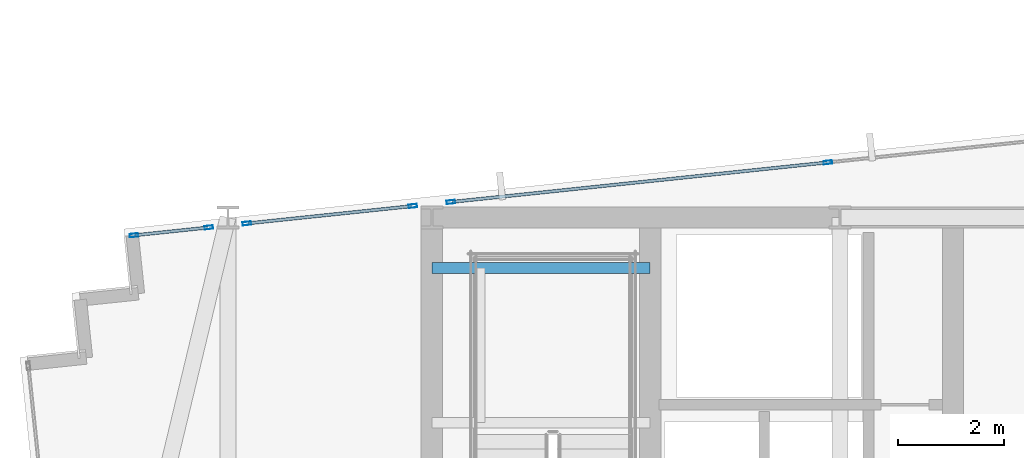
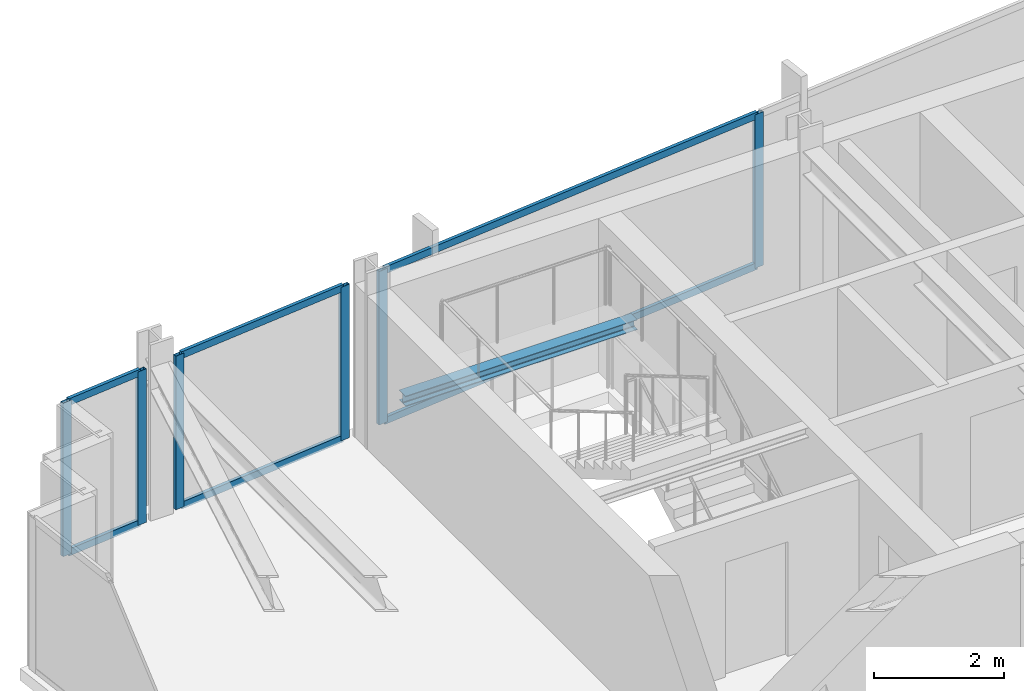
# One storey, part 20 of 33: 12 members, 1 beam, 3 elements without a shape of their own.
"""IFC4 building model written with IfcOpenShell, lengths in metres."""

from ifc_helpers import new_model, si_unit, direction, frame, origin, origin_2d, place, context, subcontext, project, spatial, hollow_rectangle, i_section, extrude, material, material_profile, profile_set, type_object, element, aggregate, save


model = new_model("IFC4")

# Units and contexts
model_context = context("Model", 3, precision=1e-05, world=origin(), true_north=direction((0.0, 1.0)))
body_context = subcontext(model_context, "Body", "Model", "MODEL_VIEW")
ifc_project = project(units=[si_unit("LENGTHUNIT", "METRE"), si_unit("AREAUNIT", "SQUARE_METRE"), si_unit("VOLUMEUNIT", "CUBIC_METRE"), si_unit("PLANEANGLEUNIT", "RADIAN"), si_unit("MASSUNIT", "GRAM", prefix="KILO")], contexts=[model_context])

# Site, building, storey
site_placement = place(None, origin())
site = spatial("IfcSite", under=ifc_project, at=site_placement, CompositionType="ELEMENT")
building_placement = place(site_placement, origin())
building = spatial("IfcBuilding", under=site, at=building_placement, Name="Yelkora Congress Tower", CompositionType="ELEMENT")
storey_placement = place(building_placement, frame((0.0, 0.0, 244.10009765625)))
storey = spatial("IfcBuildingStorey", under=building, at=storey_placement, Name="L68", CompositionType="ELEMENT", Elevation=244.10009765625)

# Beam
ifc_material_1 = material(Name="Steel S355J2", Category="steel")
ifc_material_profile_1 = material_profile(ifc_material_1, i_section(OverallWidth=0.199951171875, OverallDepth=0.18994140625, WebThickness=0.006591796875, FlangeThickness=0.010009765625, FilletRadius=0.01806640625, at=origin_2d()), Name="HEA 200")
ifc_profile_set_1 = profile_set([ifc_material_profile_1], Name="Steel S355J2")
beam_type = type_object("IfcBeamType", Name="BM-LAND-HEA200", PredefinedType="BEAM", material=ifc_profile_set_1)
beam_placement = place(storey_placement, frame((23.0400390625, 45.25, 1.33447265625), z_axis=(1.0, 0.0, 0.0), x_axis=(0.0, 1.0, 0.0)))
element("IfcBeam", 1, at=beam_placement, inside=storey, type_object=beam_type, Name="ST-01 L68 Landing Header Beam 1N", PredefinedType="BEAM", context=body_context, shape_type="SweptSolid", body=[
    extrude(i_section(OverallWidth=0.199951171875, OverallDepth=0.18994140625, WebThickness=0.006591796875, FlangeThickness=0.010009765625, FilletRadius=0.01806640625, at=origin_2d()), origin(), (0.0, 0.0, 1.0), 4.10986328125),
])

# Curtain wall, members
ifc_material_2 = material(Name="Anodised aluminium and insulated glass", Category="aluminium")
curtain_wall_type = type_object("IfcCurtainWallType", Name="CW-SYS-B4", PredefinedType="NOTDEFINED", material=ifc_material_2)
curtain_wall_1_placement = place(storey_placement, origin())
curtain_wall_1 = element("IfcCurtainWall", 2, at=curtain_wall_1_placement, inside=storey, type_object=curtain_wall_type, Name="L68 Unitised Curtain Wall 10 (1)", PredefinedType="NOTDEFINED")
ifc_material_3 = material(Name="Anodised aluminium 6063-T6", Category="aluminium")
ifc_material_profile_2 = material_profile(ifc_material_3, hollow_rectangle(XDim=0.06494140625, YDim=0.159912109375, WallThickness=0.00390625, at=origin_2d()), Name="ALU 65x160x4")
ifc_profile_set_2 = profile_set([ifc_material_profile_2], Name="Anodised aluminium 6063-T6")
member_type_1 = type_object("IfcMemberType", Name="MEM-ML-B4", PredefinedType="MULLION", material=ifc_profile_set_2)
member_1_placement = place(storey_placement, frame((17.431396484375, 45.865966796875, 0.0), z_axis=(0.0, 0.0, 1.0), x_axis=(-0.104509292244, 0.994523910137, 0.0)))
member_1 = element("IfcMember", 3, at=member_1_placement, type_object=member_type_1, Name="CW-B4 mullion 1", PredefinedType="MULLION", context=body_context, shape_type="SweptSolid", body=[
    extrude(hollow_rectangle(XDim=0.06494140625, YDim=0.159912109375, WallThickness=0.00390625, at=origin_2d()), origin(), (0.0, 0.0, 1.0), 2.8798828125),
])
member_2_placement = place(storey_placement, frame((18.841796875, 46.01416015625, 0.0), z_axis=(0.0, 0.0, 1.0), x_axis=(-0.104509292244, 0.994523910137, 0.0)))
member_2 = element("IfcMember", 4, at=member_2_placement, type_object=member_type_1, Name="CW-B4 mullion 2", PredefinedType="MULLION", context=body_context, shape_type="SweptSolid", body=[
    extrude(hollow_rectangle(XDim=0.06494140625, YDim=0.159912109375, WallThickness=0.00390625, at=origin_2d()), origin(), (0.0, 0.0, 1.0), 2.8798828125),
])

curtain_wall_2_placement = place(storey_placement, origin())
curtain_wall_2 = element("IfcCurtainWall", 5, at=curtain_wall_2_placement, inside=storey, type_object=curtain_wall_type, Name="L68 Unitised Curtain Wall 10 (2)", PredefinedType="NOTDEFINED")
member_3_placement = place(storey_placement, frame((19.558349609375, 46.089599609375, 0.0), z_axis=(0.0, 0.0, 1.0), x_axis=(-0.104506154437, 0.994524239868, 0.0)))
member_3 = element("IfcMember", 6, at=member_3_placement, type_object=member_type_1, Name="CW-B4 mullion 1", PredefinedType="MULLION", context=body_context, shape_type="SweptSolid", body=[
    extrude(hollow_rectangle(XDim=0.06494140625, YDim=0.159912109375, WallThickness=0.00390625, at=origin_2d()), origin(), (0.0, 0.0, 1.0), 2.8798828125),
])
member_4_placement = place(storey_placement, frame((22.681640625, 46.417724609375, 0.0), z_axis=(0.0, 0.0, 1.0), x_axis=(-0.104506154437, 0.994524239868, 0.0)))
member_4 = element("IfcMember", 7, at=member_4_placement, type_object=member_type_1, Name="CW-B4 mullion 2", PredefinedType="MULLION", context=body_context, shape_type="SweptSolid", body=[
    extrude(hollow_rectangle(XDim=0.06494140625, YDim=0.159912109375, WallThickness=0.00390625, at=origin_2d()), origin(), (0.0, 0.0, 1.0), 2.8798828125),
])

curtain_wall_3_placement = place(storey_placement, origin())
curtain_wall_3 = element("IfcCurtainWall", 8, at=curtain_wall_3_placement, inside=storey, type_object=curtain_wall_type, Name="L68 Unitised Curtain Wall 10 (3)", PredefinedType="NOTDEFINED")
member_5_placement = place(storey_placement, frame((23.3984375, 46.4931640625, 0.0), z_axis=(0.0, 0.0, 1.0), x_axis=(-0.104527724021, 0.994521973066, 0.0)))
member_5 = element("IfcMember", 9, at=member_5_placement, type_object=member_type_1, Name="CW-B4 mullion 1", PredefinedType="MULLION", context=body_context, shape_type="SweptSolid", body=[
    extrude(hollow_rectangle(XDim=0.06494140625, YDim=0.159912109375, WallThickness=0.00390625, at=origin_2d()), origin(), (0.0, 0.0, 1.0), 2.8798828125),
])
member_6_placement = place(storey_placement, frame((30.496826171875, 47.2392578125, 0.0), z_axis=(0.0, 0.0, 1.0), x_axis=(-0.104527724021, 0.994521973066, 0.0)))
member_6 = element("IfcMember", 10, at=member_6_placement, type_object=member_type_1, Name="CW-B4 mullion 2", PredefinedType="MULLION", context=body_context, shape_type="SweptSolid", body=[
    extrude(hollow_rectangle(XDim=0.06494140625, YDim=0.159912109375, WallThickness=0.00390625, at=origin_2d()), origin(), (0.0, 0.0, 1.0), 2.8798828125),
])

# Member
ifc_material_profile_3 = material_profile(ifc_material_3, hollow_rectangle(XDim=0.06005859375, YDim=0.1298828125, WallThickness=0.00390625, at=origin_2d()), Name="ALU 60x130x4")
ifc_profile_set_3 = profile_set([ifc_material_profile_3], Name="Anodised aluminium 6063-T6")
member_type_2 = type_object("IfcMemberType", Name="MEM-TR-B4", PredefinedType="USERDEFINED", material=ifc_profile_set_3)
member_7_placement = place(storey_placement, frame((17.463623046875, 45.869384765625, 0.02978515625), z_axis=(0.994528168538, 0.10446876081, 0.0), x_axis=(-0.10446876081, 0.994528168538, 0.0)))
member_7 = element("IfcMember", 11, at=member_7_placement, type_object=member_type_2, Name="CW-B4 transom 1.1", ObjectType="TRANSOM", PredefinedType="USERDEFINED", context=body_context, shape_type="SweptSolid", body=[
    extrude(hollow_rectangle(XDim=0.06005859375, YDim=0.1298828125, WallThickness=0.00390625, at=origin_2d()), origin(), (0.0, 0.0, 1.0), 1.35302734375),
])

member_8_placement = place(storey_placement, frame((17.463623046875, 45.869384765625, 2.849853515625), z_axis=(0.994528168538, 0.10446876081, 0.0), x_axis=(-0.10446876081, 0.994528168538, 0.0)))
member_8 = element("IfcMember", 12, at=member_8_placement, type_object=member_type_2, Name="CW-B4 transom 1.2", ObjectType="TRANSOM", PredefinedType="USERDEFINED", context=body_context, shape_type="SweptSolid", body=[
    extrude(hollow_rectangle(XDim=0.06005859375, YDim=0.1298828125, WallThickness=0.00390625, at=origin_2d()), origin(), (0.0, 0.0, 1.0), 1.35302734375),
])

aggregate(curtain_wall_1, [member_1, member_2, member_7, member_8])

member_9_placement = place(storey_placement, frame((19.590576171875, 46.093017578125, 0.02978515625), z_axis=(0.994528915126, 0.104461653149, 0.0), x_axis=(-0.104461653149, 0.994528915126, 0.0)))
member_9 = element("IfcMember", 13, at=member_9_placement, type_object=member_type_2, Name="CW-B4 transom 1.1", ObjectType="TRANSOM", PredefinedType="USERDEFINED", context=body_context, shape_type="SweptSolid", body=[
    extrude(hollow_rectangle(XDim=0.06005859375, YDim=0.1298828125, WallThickness=0.00390625, at=origin_2d()), origin(), (0.0, 0.0, 1.0), 3.07568359375),
])

member_10_placement = place(storey_placement, frame((19.590576171875, 46.093017578125, 2.849853515625), z_axis=(0.994528915126, 0.104461653149, 0.0), x_axis=(-0.104461653149, 0.994528915126, 0.0)))
member_10 = element("IfcMember", 14, at=member_10_placement, type_object=member_type_2, Name="CW-B4 transom 1.2", ObjectType="TRANSOM", PredefinedType="USERDEFINED", context=body_context, shape_type="SweptSolid", body=[
    extrude(hollow_rectangle(XDim=0.06005859375, YDim=0.1298828125, WallThickness=0.00390625, at=origin_2d()), origin(), (0.0, 0.0, 1.0), 3.07568359375),
])

aggregate(curtain_wall_2, [member_3, member_4, member_9, member_10])

member_11_placement = place(storey_placement, frame((23.4306640625, 46.49658203125, 0.02978515625), z_axis=(0.994522085625, 0.104526653081, 0.0), x_axis=(-0.104526653081, 0.994522085625, 0.0)))
member_11 = element("IfcMember", 15, at=member_11_placement, type_object=member_type_2, Name="CW-B4 transom 1.1", ObjectType="TRANSOM", PredefinedType="USERDEFINED", context=body_context, shape_type="SweptSolid", body=[
    extrude(hollow_rectangle(XDim=0.06005859375, YDim=0.1298828125, WallThickness=0.00390625, at=origin_2d()), origin(), (0.0, 0.0, 1.0), 7.072509765625),
])

member_12_placement = place(storey_placement, frame((23.4306640625, 46.49658203125, 2.849853515625), z_axis=(0.994522085625, 0.104526653081, 0.0), x_axis=(-0.104526653081, 0.994522085625, 0.0)))
member_12 = element("IfcMember", 16, at=member_12_placement, type_object=member_type_2, Name="CW-B4 transom 1.2", ObjectType="TRANSOM", PredefinedType="USERDEFINED", context=body_context, shape_type="SweptSolid", body=[
    extrude(hollow_rectangle(XDim=0.06005859375, YDim=0.1298828125, WallThickness=0.00390625, at=origin_2d()), origin(), (0.0, 0.0, 1.0), 7.072509765625),
])

aggregate(curtain_wall_3, [member_5, member_6, member_11, member_12])

save(model, "model.ifc")
